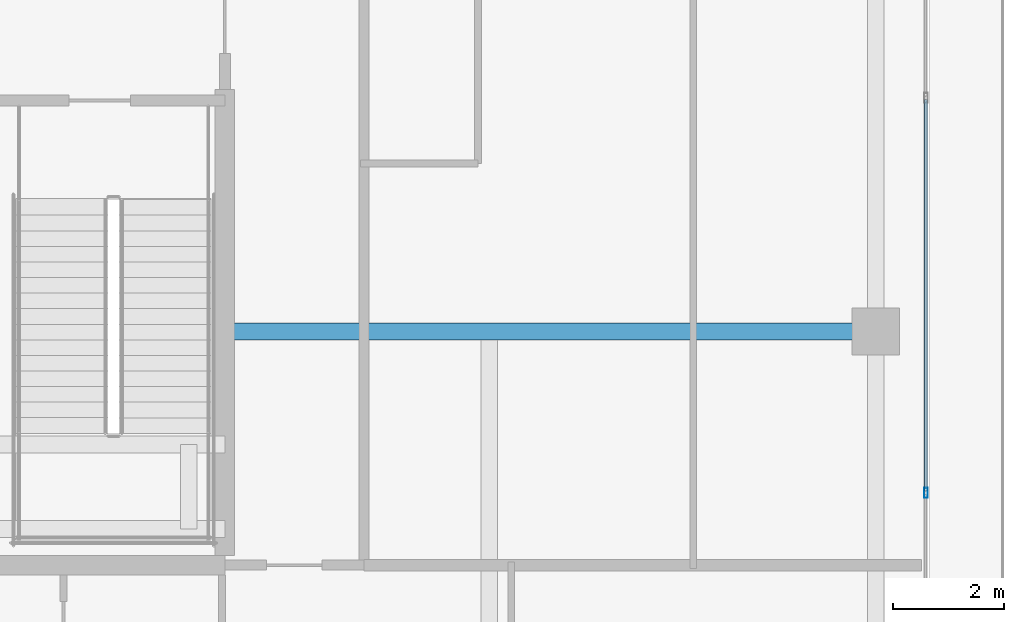
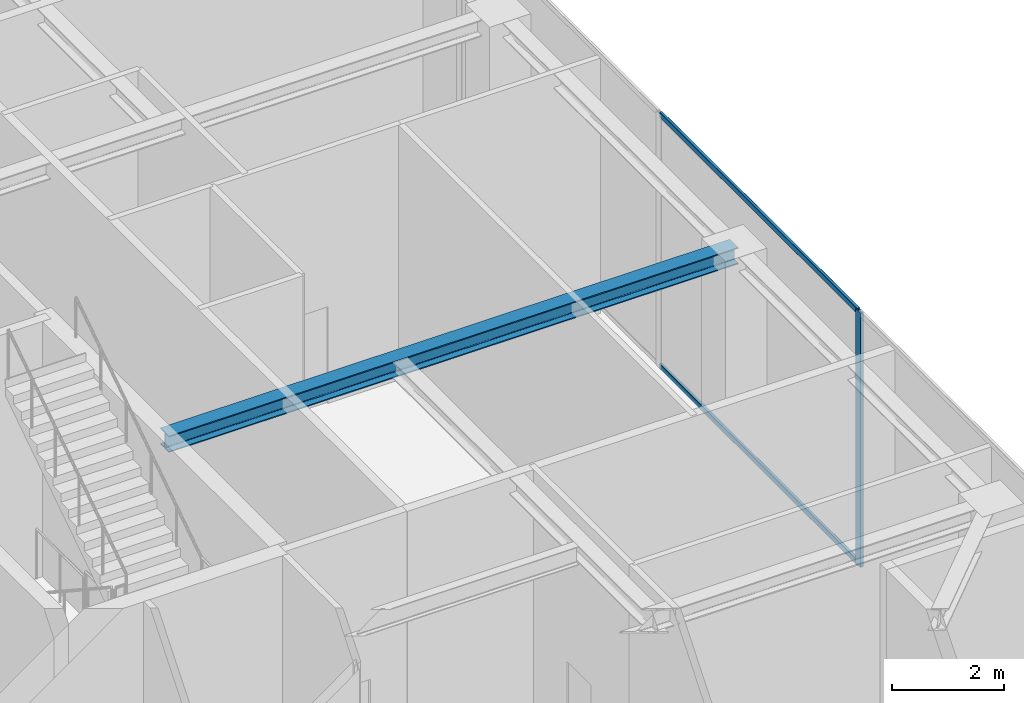
# One storey, part 14 of 38: 3 members, 1 beam, 1 element without a shape of its own.
"""IFC4 building model written with IfcOpenShell, lengths in metres."""

from ifc_helpers import new_model, si_unit, direction, frame, origin, origin_2d, place, context, subcontext, project, spatial, hollow_rectangle, i_section, extrude, source, transform, mapped, material, layer, layer_set, material_profile, profile_set, type_object, element, aggregate, save


model = new_model("IFC4")

# Units and contexts
model_context = context("Model", 3, precision=1e-05, world=origin(), true_north=direction((0.0, 1.0)))
body_context = subcontext(model_context, "Body", "Model", "MODEL_VIEW")
ifc_project = project(units=[si_unit("LENGTHUNIT", "METRE"), si_unit("AREAUNIT", "SQUARE_METRE"), si_unit("VOLUMEUNIT", "CUBIC_METRE"), si_unit("PLANEANGLEUNIT", "RADIAN"), si_unit("MASSUNIT", "GRAM", prefix="KILO")], contexts=[model_context])

# Site, building, storey
site_placement = place(None, origin())
site = spatial("IfcSite", under=ifc_project, at=site_placement, CompositionType="ELEMENT")
building_placement = place(site_placement, origin())
building = spatial("IfcBuilding", under=site, at=building_placement, Name="Serunith Strait Residences", CompositionType="ELEMENT")
storey_placement = place(building_placement, frame((0.0, 0.0, 353.85009765625)))
storey = spatial("IfcBuildingStorey", under=building, at=storey_placement, Name="L87", CompositionType="ELEMENT", Elevation=353.85009765625)

# Beam
ifc_material_1 = material(Name="Steel S355J2", Category="steel")
ifc_material_profile_1 = material_profile(ifc_material_1, i_section(OverallWidth=0.300048828125, OverallDepth=0.360107421875, WebThickness=0.012451171875, FlangeThickness=0.0224609375, FilletRadius=0.027099609375, at=origin_2d()), Name="HEB 360")
ifc_profile_set_1 = profile_set([ifc_material_profile_1], Name="Steel S355J2")
beam_type = type_object("IfcBeamType", Name="BM-HEB360", PredefinedType="BEAM", material=ifc_profile_set_1)
shared_shape_1 = source(origin(), body_context, "Body", "SweptSolid", [
    extrude(i_section(OverallWidth=0.300048828125, OverallDepth=0.360107421875, WebThickness=0.012451171875, FlangeThickness=0.0224609375, FilletRadius=0.027099609375, at=origin_2d()), origin(), (0.0, 0.0, 1.0), 11.7001953125),
])
beam_placement = place(storey_placement, frame((41.39990234375, 21.0, 5.35693359375), z_axis=(1.0, 0.0, 0.0), x_axis=(0.0, 1.0, 0.0)))
element("IfcBeam", 1, at=beam_placement, inside=storey, type_object=beam_type, Name="L87 Primary Floor Girder TC-E2", PredefinedType="BEAM", context=body_context, shape_type="MappedRepresentation", body=[
    mapped(shared_shape_1, transform((0.0, 0.0, 0.0), scale=1.0)),
])

# Curtain wall, members
ifc_material_2 = material(Name="Brushed Stainless-Silver Aluminium", Category="aluminium")
ifc_layer = layer(ifc_material_2, 0.199951171875, Name="Brushed Stainless-Silver Aluminium")
ifc_layer_set = layer_set([ifc_layer], Name="Brushed Stainless-Silver Aluminium")
curtain_wall_type = type_object("IfcCurtainWallType", Name="CW-SYS5", PredefinedType="NOTDEFINED", material=ifc_layer_set)
curtain_wall_placement = place(storey_placement, origin())
curtain_wall = element("IfcCurtainWall", 2, at=curtain_wall_placement, inside=storey, type_object=curtain_wall_type, Name="L87 E Unitised Fritted Curtain Wall", PredefinedType="NOTDEFINED")
ifc_material_profile_2 = material_profile(ifc_material_2, hollow_rectangle(XDim=0.06005859375, YDim=0.1201171875, WallThickness=0.00341796875, InnerFilletRadius=0.00537109375, OuterFilletRadius=0.0087890625, at=origin_2d()), Name="ALU 120x60x3.5")
ifc_profile_set_2 = profile_set([ifc_material_profile_2], Name="Brushed Stainless-Silver Aluminium")
member_type_1 = type_object("IfcMemberType", Name="CW-SYS5-TRAN", PredefinedType="USERDEFINED", material=ifc_profile_set_2)
shared_shape_2 = source(origin(), body_context, "Body", "SweptSolid", [
    extrude(hollow_rectangle(XDim=0.06005859375, YDim=0.1201171875, WallThickness=0.00341796875, InnerFilletRadius=0.00537109375, OuterFilletRadius=0.0087890625, at=origin_2d()), origin(), (0.0, 0.0, 1.0), 7.034912109375),
])
member_1_placement = place(storey_placement, frame((54.0, 18.132568359375, 0.02978515625), z_axis=(0.0, 1.0, 0.0), x_axis=(-1.0, 0.0, 0.0)))
member_1 = element("IfcMember", 3, at=member_1_placement, type_object=member_type_1, Name="CW-5 transom 2.1", ObjectType="TRANSOM", PredefinedType="USERDEFINED", context=body_context, shape_type="MappedRepresentation", body=[
    mapped(shared_shape_2, transform((0.0, 0.0, 0.0), scale=1.0)),
])
member_2_placement = place(storey_placement, frame((54.0, 18.132568359375, 5.494873046875), z_axis=(0.0, 1.0, 0.0), x_axis=(-1.0, 0.0, 0.0)))
member_2 = element("IfcMember", 4, at=member_2_placement, type_object=member_type_1, Name="CW-5 transom 2.2", ObjectType="TRANSOM", PredefinedType="USERDEFINED", context=body_context, shape_type="MappedRepresentation", body=[
    mapped(shared_shape_2, transform((0.0, 0.0, 0.0), scale=1.0)),
])
ifc_material_profile_3 = material_profile(ifc_material_2, hollow_rectangle(XDim=0.06494140625, YDim=0.179931640625, WallThickness=0.00341796875, InnerFilletRadius=0.00537109375, OuterFilletRadius=0.0087890625, at=origin_2d()), Name="ALU 180x65x3.5")
ifc_profile_set_3 = profile_set([ifc_material_profile_3], Name="Brushed Stainless-Silver Aluminium")
member_type_2 = type_object("IfcMemberType", Name="CW-SYS5-MULL", PredefinedType="MULLION", material=ifc_profile_set_3)
shared_shape_3 = source(origin(), body_context, "Body", "SweptSolid", [
    extrude(hollow_rectangle(XDim=0.06494140625, YDim=0.179931640625, WallThickness=0.00341796875, InnerFilletRadius=0.00537109375, OuterFilletRadius=0.0087890625, at=origin_2d()), origin(), (0.0, 0.0, 1.0), 5.52490234375),
])
member_3_placement = place(storey_placement, frame((54.0, 18.10009765625, 0.0), z_axis=(0.0, 0.0, 1.0), x_axis=(-1.0, 0.0, 0.0)))
member_3 = element("IfcMember", 5, at=member_3_placement, type_object=member_type_2, Name="CW-5 mullion 2", PredefinedType="MULLION", context=body_context, shape_type="MappedRepresentation", body=[
    mapped(shared_shape_3, transform((0.0, 0.0, 0.0), scale=1.0)),
])
aggregate(curtain_wall, [member_3, member_1, member_2])

save(model, "model.ifc")
